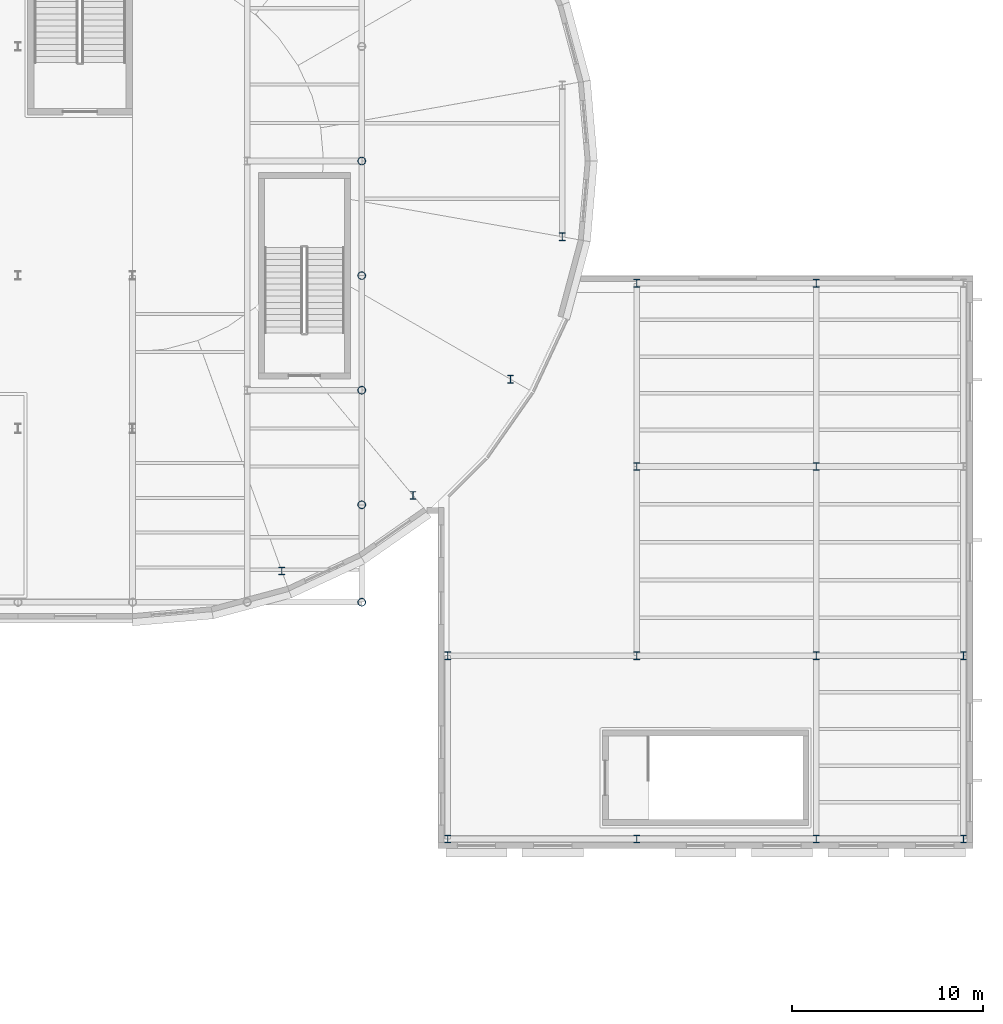
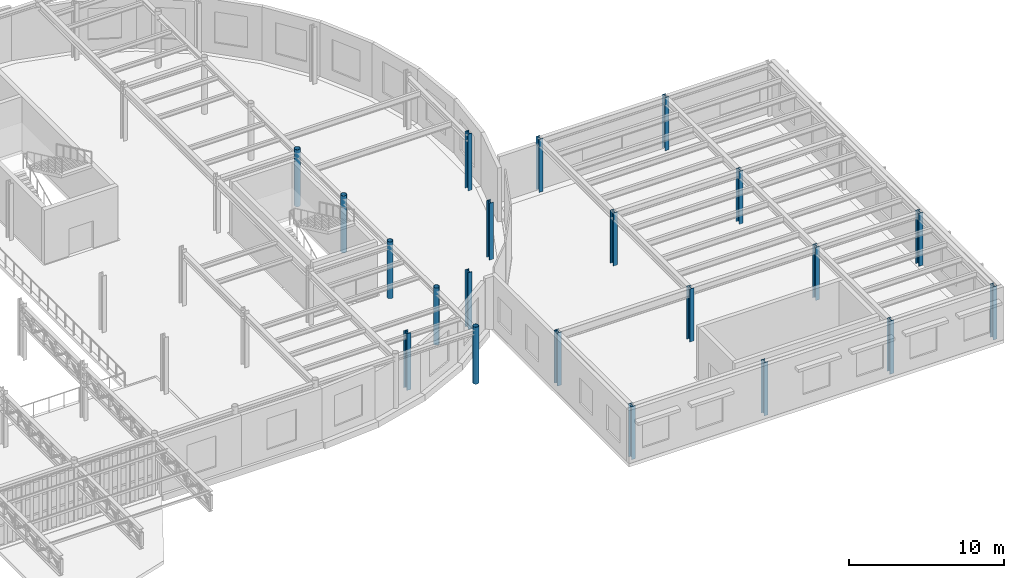
# One storey, part 14 of 91: 21 columns.
"""IFC4 building model written with IfcOpenShell, lengths in metres."""

from ifc_helpers import new_model, si_unit, direction, frame, origin, origin_2d, place, context, subcontext, project, spatial, hollow_circle, i_section, extrude, material, material_profile, profile_set, type_object, element, save


model = new_model("IFC4")

# Units and contexts
model_context = context("Model", 3, precision=1e-05, world=origin(), true_north=direction((0.0, 1.0)))
body_context = subcontext(model_context, "Body", "Model", "MODEL_VIEW")
ifc_project = project(units=[si_unit("LENGTHUNIT", "METRE"), si_unit("AREAUNIT", "SQUARE_METRE"), si_unit("VOLUMEUNIT", "CUBIC_METRE"), si_unit("PLANEANGLEUNIT", "RADIAN"), si_unit("MASSUNIT", "GRAM", prefix="KILO")], contexts=[model_context])

# Site, building, storey
site_placement = place(None, origin())
site = spatial("IfcSite", under=ifc_project, at=site_placement, CompositionType="ELEMENT")
building_placement = place(site_placement, origin())
building = spatial("IfcBuilding", under=site, at=building_placement, Name="Kolvaren Corner Interchange", CompositionType="ELEMENT")
storey_placement = place(building_placement, frame((0.0, 0.0, 6.0)))
storey = spatial("IfcBuildingStorey", under=building, at=storey_placement, Name="L02", CompositionType="ELEMENT", Elevation=6.0)

# Columns
ifc_material_1 = material(Name="Steel S355", Category="steel")
ifc_material_profile_1 = material_profile(ifc_material_1, hollow_circle(Radius=0.203125, WallThickness=0.01611328125, at=origin_2d()), Name="CHS 406.4x16.0")
ifc_profile_set_1 = profile_set([ifc_material_profile_1], Name="Steel S355")
column_type_1 = type_object("IfcColumnType", Name="COL-CHS406", PredefinedType="COLUMN", material=ifc_profile_set_1)
for number, where, z_axis, x_axis, name in (
    (1, (132.0, 24.89990234375, 0.0), (0.0, 0.0, 1.0), (1.0, 0.0, 0.0), "Storey L02 Structural Column 0749"),
    (2, (132.0, 30.0, 0.0), (0.0, 0.0, 1.0), (1.0, 0.0, 0.0), "Storey L02 Structural Column 0753"),
    (3, (132.0, 36.0, 0.0), (0.0, 0.0, 1.0), (1.0, 0.0, 0.0), "Storey L02 Structural Column 0757"),
    (4, (132.0, 42.0, 0.0), (0.0, 0.0, 1.0), (1.0, 0.0, 0.0), "Storey L02 Structural Column 0761"),
    (5, (132.0, 48.0, 0.0), (0.0, 0.0, 1.0), (1.0, 0.0, 0.0), "Storey L02 Structural Column 0765"),
):
    element("IfcColumn", number, at=place(storey_placement, frame(where, z_axis=z_axis, x_axis=x_axis)), inside=storey, type_object=column_type_1, Name=name, PredefinedType="COLUMN", context=body_context, shape_type="SweptSolid", body=[
        extrude(hollow_circle(Radius=0.203125, WallThickness=0.01611328125, at=origin_2d()), origin(), (0.0, 0.0, 1.0), 4.5),
    ])
ifc_material_2 = material(Name="Steel S355", Category="steel")
ifc_material_profile_2 = material_profile(ifc_material_2, i_section(OverallWidth=0.300048828125, OverallDepth=0.39990234375, WebThickness=0.013427734375, FlangeThickness=0.02392578125, FilletRadius=0.027099609375, at=origin_2d()), Name="HEB 400")
ifc_profile_set_2 = profile_set([ifc_material_profile_2], Name="Steel S355")
column_type_2 = type_object("IfcColumnType", Name="COL-HEB400", PredefinedType="COLUMN", material=ifc_profile_set_2)
for number, where, z_axis, x_axis, name in (
    (6, (127.81494140625, 26.528076171875, 0.0), (0.0, 0.0, 1.0), (1.0, 0.0, 0.0), "Storey L02 Structural Column 0817"),
    (7, (134.68798828125, 30.49609375, 0.0), (0.0, 0.0, 1.0), (1.0, 0.0, 0.0), "Storey L02 Structural Column 0821"),
    (8, (139.7890625, 36.574951171875, 0.0), (0.0, 0.0, 1.0), (1.0, 0.0, 0.0), "Storey L02 Structural Column 0825"),
    (9, (142.5029296875, 44.031982421875, 0.0), (0.0, 0.0, 1.0), (1.0, 0.0, 0.0), "Storey L02 Structural Column 0829"),
):
    element("IfcColumn", number, at=place(storey_placement, frame(where, z_axis=z_axis, x_axis=x_axis)), inside=storey, type_object=column_type_2, Name=name, PredefinedType="COLUMN", context=body_context, shape_type="SweptSolid", body=[
        extrude(i_section(OverallWidth=0.300048828125, OverallDepth=0.39990234375, WebThickness=0.013427734375, FlangeThickness=0.02392578125, FilletRadius=0.027099609375, at=origin_2d()), origin(), (0.0, 0.0, 1.0), 4.5),
    ])
for number, where, z_axis, x_axis, name in (
    (10, (136.5, 12.5, 0.0), (0.0, 0.0, 1.0), (1.0, 0.0, 0.0), "Storey L02 Structural Column 0947"),
    (11, (136.5, 22.10009765625, 0.0), (0.0, 0.0, 1.0), (1.0, 0.0, 0.0), "Storey L02 Structural Column 0949"),
    (12, (146.39990234375, 12.5, 0.0), (0.0, 0.0, 1.0), (1.0, 0.0, 0.0), "Storey L02 Structural Column 0955"),
    (13, (146.39990234375, 22.10009765625, 0.0), (0.0, 0.0, 1.0), (1.0, 0.0, 0.0), "Storey L02 Structural Column 0957"),
    (14, (146.39990234375, 32.0, 0.0), (0.0, 0.0, 1.0), (1.0, 0.0, 0.0), "Storey L02 Structural Column 0959"),
    (15, (146.39990234375, 41.60009765625, 0.0), (0.0, 0.0, 1.0), (1.0, 0.0, 0.0), "Storey L02 Structural Column 0961"),
    (16, (155.800048828125, 12.5, 0.0), (0.0, 0.0, 1.0), (1.0, 0.0, 0.0), "Storey L02 Structural Column 0969"),
    (17, (155.800048828125, 22.10009765625, 0.0), (0.0, 0.0, 1.0), (1.0, 0.0, 0.0), "Storey L02 Structural Column 0971"),
    (18, (155.800048828125, 32.0, 0.0), (0.0, 0.0, 1.0), (1.0, 0.0, 0.0), "Storey L02 Structural Column 0973"),
    (19, (155.800048828125, 41.60009765625, 0.0), (0.0, 0.0, 1.0), (1.0, 0.0, 0.0), "Storey L02 Structural Column 0975"),
    (20, (163.5, 12.5, 0.0), (0.0, 0.0, 1.0), (1.0, 0.0, 0.0), "Storey L02 Structural Column 0983"),
    (21, (163.5, 22.10009765625, 0.0), (0.0, 0.0, 1.0), (1.0, 0.0, 0.0), "Storey L02 Structural Column 0985"),
):
    element("IfcColumn", number, at=place(storey_placement, frame(where, z_axis=z_axis, x_axis=x_axis)), inside=storey, type_object=column_type_2, Name=name, PredefinedType="COLUMN", context=body_context, shape_type="SweptSolid", body=[
        extrude(i_section(OverallWidth=0.300048828125, OverallDepth=0.39990234375, WebThickness=0.013427734375, FlangeThickness=0.02392578125, FilletRadius=0.027099609375, at=origin_2d()), origin(), (0.0, 0.0, 1.0), 4.199951171875),
    ])

save(model, "model.ifc")
